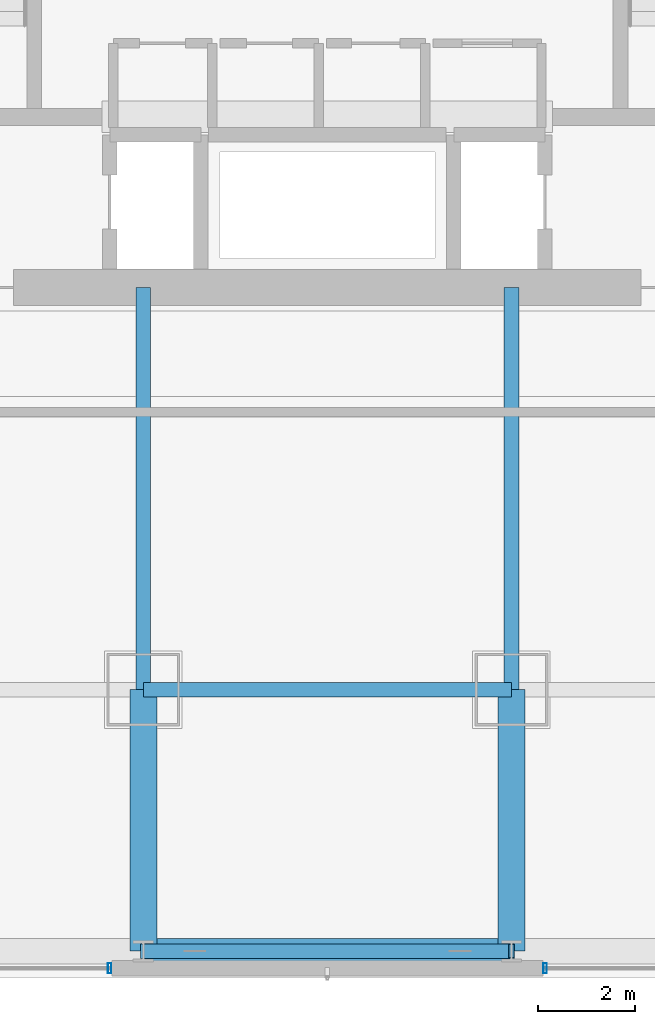
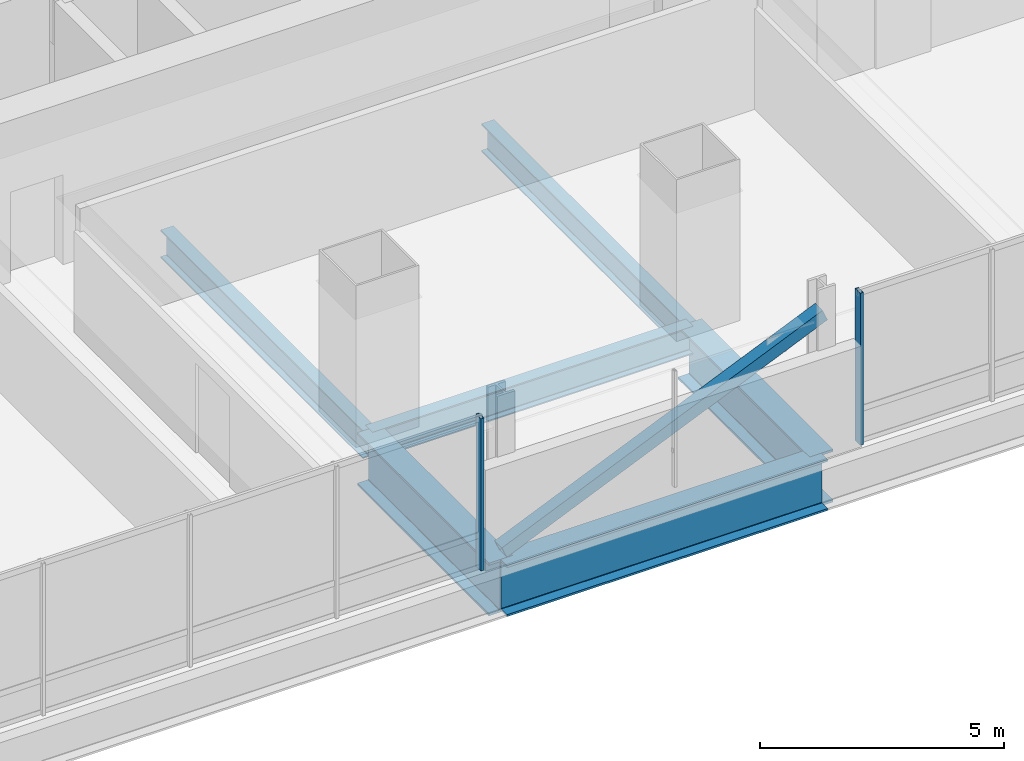
# One storey, part 7 of 37: 6 beams, 3 members, 2 elements without a shape of their own.
"""IFC4 building model written with IfcOpenShell, lengths in metres."""

from ifc_helpers import new_model, si_unit, direction, frame, origin, origin_2d, place, context, subcontext, project, spatial, hollow_rectangle, i_section, extrude, material, material_profile, profile_set, type_object, element, aggregate, save


model = new_model("IFC4")

# Units and contexts
model_context = context("Model", 3, precision=1e-05, world=origin(), true_north=direction((0.0, 1.0)))
body_context = subcontext(model_context, "Body", "Model", "MODEL_VIEW")
ifc_project = project(units=[si_unit("LENGTHUNIT", "METRE"), si_unit("AREAUNIT", "SQUARE_METRE"), si_unit("VOLUMEUNIT", "CUBIC_METRE"), si_unit("PLANEANGLEUNIT", "RADIAN"), si_unit("MASSUNIT", "GRAM", prefix="KILO")], contexts=[model_context])

# Site, building, storey
site_placement = place(None, origin())
site = spatial("IfcSite", under=ifc_project, at=site_placement, CompositionType="ELEMENT")
building_placement = place(site_placement, origin())
building = spatial("IfcBuilding", under=site, at=building_placement, Name="Punatoya Terracotta Tower", CompositionType="ELEMENT")
storey_placement = place(building_placement, frame((0.0, 0.0, 44.39990234375)))
storey = spatial("IfcBuildingStorey", under=building, at=storey_placement, Name="L09", CompositionType="ELEMENT", Elevation=44.39990234375)

# Beams
ifc_material_1 = material(Name="Steel S355", Category="steel")
ifc_material_profile_1 = material_profile(ifc_material_1, i_section(OverallWidth=0.300048828125, OverallDepth=0.699951171875, WebThickness=0.01708984375, FlangeThickness=0.031982421875, FilletRadius=0.01806640625, at=origin_2d()))
ifc_profile_set_1 = profile_set([ifc_material_profile_1], Name="Steel S355")
beam_type_1 = type_object("IfcBeamType", Name="BM-PRI-700", PredefinedType="BEAM", material=ifc_profile_set_1)
beam_1_placement = place(storey_placement, frame((-3.800048828125, -17.5, -0.58984375), z_axis=(1.0, 0.0, 0.0), x_axis=(0.0, 1.0, 0.0)))
element("IfcBeam", 1, at=beam_1_placement, inside=storey, type_object=beam_type_1, Name="BM-L09-RG-S2", PredefinedType="BEAM", context=body_context, shape_type="SweptSolid", body=[
    extrude(i_section(OverallWidth=0.300048828125, OverallDepth=0.699951171875, WebThickness=0.01708984375, FlangeThickness=0.031982421875, FilletRadius=0.01806640625, at=origin_2d()), origin(), (0.0, 0.0, 1.0), 7.60009765625),
])
for number, where, z_axis, x_axis, name in (
    (2, (-3.800048828125, -17.5, -0.58984375), (0.0, 1.0, 0.0), (-1.0, 0.0, 0.0), "BM-L09-PR-S2"),
    (3, (3.800048828125, -17.5, -0.58984375), (0.0, 1.0, 0.0), (-1.0, 0.0, 0.0), "BM-L09-PR-S3"),
):
    element("IfcBeam", number, at=place(storey_placement, frame(where, z_axis=z_axis, x_axis=x_axis)), inside=storey, type_object=beam_type_1, Name=name, PredefinedType="BEAM", context=body_context, shape_type="SweptSolid", body=[
        extrude(i_section(OverallWidth=0.300048828125, OverallDepth=0.699951171875, WebThickness=0.01708984375, FlangeThickness=0.031982421875, FilletRadius=0.01806640625, at=origin_2d()), origin(), (0.0, 0.0, 1.0), 8.300048828125),
    ])
ifc_material_2 = material(Name="Steel S460", Category="steel")
ifc_material_profile_2 = material_profile(ifc_material_2, i_section(OverallWidth=0.56005859375, OverallDepth=1.320068359375, WebThickness=0.035888671875, FlangeThickness=0.054931640625, FilletRadius=0.01806640625, at=origin_2d()))
ifc_profile_set_2 = profile_set([ifc_material_profile_2], Name="Steel S460")
beam_type_2 = type_object("IfcBeamType", Name="BM-TG-BLK", PredefinedType="BEAM", material=ifc_profile_set_2)
for number, where, z_axis, x_axis, name in (
    (4, (-3.800048828125, -22.89990234375, -0.89990234375), (0.0, 1.0, 0.0), (-1.0, 0.0, 0.0), "BM-L09-CANT-S2"),
    (5, (3.800048828125, -22.89990234375, -0.89990234375), (0.0, 1.0, 0.0), (-1.0, 0.0, 0.0), "BM-L09-CANT-S3"),
):
    element("IfcBeam", number, at=place(storey_placement, frame(where, z_axis=z_axis, x_axis=x_axis)), inside=storey, type_object=beam_type_2, Name=name, PredefinedType="BEAM", context=body_context, shape_type="SweptSolid", body=[
        extrude(i_section(OverallWidth=0.56005859375, OverallDepth=1.320068359375, WebThickness=0.035888671875, FlangeThickness=0.054931640625, FilletRadius=0.01806640625, at=origin_2d()), origin(), (0.0, 0.0, 1.0), 5.39990234375),
    ])
ifc_material_profile_3 = material_profile(ifc_material_2, i_section(OverallWidth=0.52001953125, OverallDepth=1.280029296875, WebThickness=0.031982421875, FlangeThickness=0.050048828125, FilletRadius=0.01806640625, at=origin_2d()))
ifc_profile_set_3 = profile_set([ifc_material_profile_3], Name="Steel S460")
beam_type_3 = type_object("IfcBeamType", Name="BM-TG-NCK", PredefinedType="BEAM", material=ifc_profile_set_3)
beam_2_placement = place(storey_placement, frame((-3.800048828125, -22.89990234375, -0.8798828125), z_axis=(1.0, 0.0, 0.0), x_axis=(0.0, 1.0, 0.0)))
element("IfcBeam", 6, at=beam_2_placement, inside=storey, type_object=beam_type_3, Name="BM-L09-PER-S2", PredefinedType="BEAM", context=body_context, shape_type="SweptSolid", body=[
    extrude(i_section(OverallWidth=0.52001953125, OverallDepth=1.280029296875, WebThickness=0.031982421875, FlangeThickness=0.050048828125, FilletRadius=0.01806640625, at=origin_2d()), origin(), (0.0, 0.0, 1.0), 7.60009765625),
])

# Curtain wall, member
ifc_material_3 = material(Name="Aluminium 6063-T6 + Double Low-E Glass", Category="aluminium")
curtain_wall_type = type_object("IfcCurtainWallType", Name="CW-M1", PredefinedType="NOTDEFINED", material=ifc_material_3)
curtain_wall_1_placement = place(storey_placement, origin())
curtain_wall_1 = element("IfcCurtainWall", 7, at=curtain_wall_1_placement, inside=storey, type_object=curtain_wall_type, Name="L09 Curtain Wall CW-L09-S01-1", PredefinedType="NOTDEFINED")
ifc_material_4 = material(Name="Aluminium 6063-T6", Category="aluminium")
ifc_material_profile_4 = material_profile(ifc_material_4, hollow_rectangle(XDim=0.074951171875, YDim=0.2099609375, WallThickness=0.00439453125, at=origin_2d()))
ifc_profile_set_4 = profile_set([ifc_material_profile_4], Name="Aluminium 6063-T6")
member_type_1 = type_object("IfcMemberType", Name="CW-MUL-M1", PredefinedType="MULLION", material=ifc_profile_set_4)
member_1_placement = place(storey_placement, frame((-4.4951171875, -23.25, 0.0), z_axis=(0.0, 0.0, 1.0), x_axis=(1.0, 0.0, 0.0)))
member_1 = element("IfcMember", 8, at=member_1_placement, type_object=member_type_1, Name="CW-L09-S01-1 Mullion 05", PredefinedType="MULLION", context=body_context, shape_type="SweptSolid", body=[
    extrude(hollow_rectangle(XDim=0.074951171875, YDim=0.2099609375, WallThickness=0.00439453125, at=origin_2d()), origin(), (0.0, 0.0, 1.0), 3.81005859375),
])
aggregate(curtain_wall_1, [member_1])

curtain_wall_2_placement = place(storey_placement, origin())
curtain_wall_2 = element("IfcCurtainWall", 9, at=curtain_wall_2_placement, inside=storey, type_object=curtain_wall_type, Name="L09 Curtain Wall CW-L09-S01-2", PredefinedType="NOTDEFINED")
member_2_placement = place(storey_placement, frame((4.4951171875, -23.25, 0.0), z_axis=(0.0, 0.0, 1.0), x_axis=(1.0, 0.0, 0.0)))
member_2 = element("IfcMember", 10, at=member_2_placement, type_object=member_type_1, Name="CW-L09-S01-2 Mullion 00", PredefinedType="MULLION", context=body_context, shape_type="SweptSolid", body=[
    extrude(hollow_rectangle(XDim=0.074951171875, YDim=0.2099609375, WallThickness=0.00439453125, at=origin_2d()), origin(), (0.0, 0.0, 1.0), 3.81005859375),
])
aggregate(curtain_wall_2, [member_2])

# Member
ifc_material_profile_5 = material_profile(ifc_material_1, hollow_rectangle(XDim=0.300048828125, YDim=0.300048828125, WallThickness=0.01611328125, at=origin_2d()))
ifc_profile_set_5 = profile_set([ifc_material_profile_5], Name="Steel S355")
member_type_2 = type_object("IfcMemberType", Name="MEM-WND-300", PredefinedType="BRACE", material=ifc_profile_set_5)
member_3_placement = place(storey_placement, frame((-3.800048828125, -22.89990234375, 0.02001953125), z_axis=(0.917702547379, 0.0, 0.397268214856), x_axis=(0.0, 1.0, 0.0)))
element("IfcMember", 11, at=member_3_placement, inside=storey, type_object=member_type_2, Name="L09 Perimeter Wind Brace S2", PredefinedType="BRACE", context=body_context, shape_type="SweptSolid", body=[
    extrude(hollow_rectangle(XDim=0.300048828125, YDim=0.300048828125, WallThickness=0.01611328125, at=origin_2d()), origin(), (0.0, 0.0, 1.0), 8.28173828125),
])

save(model, "model.ifc")
